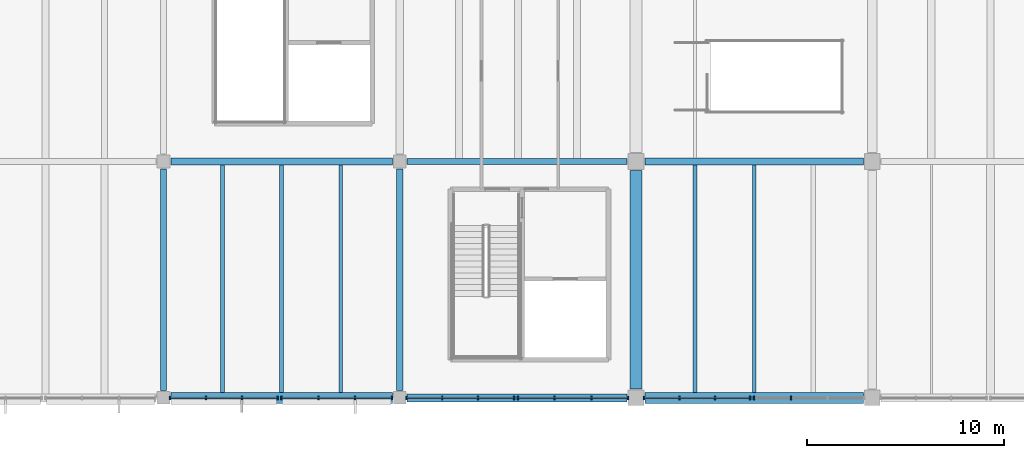
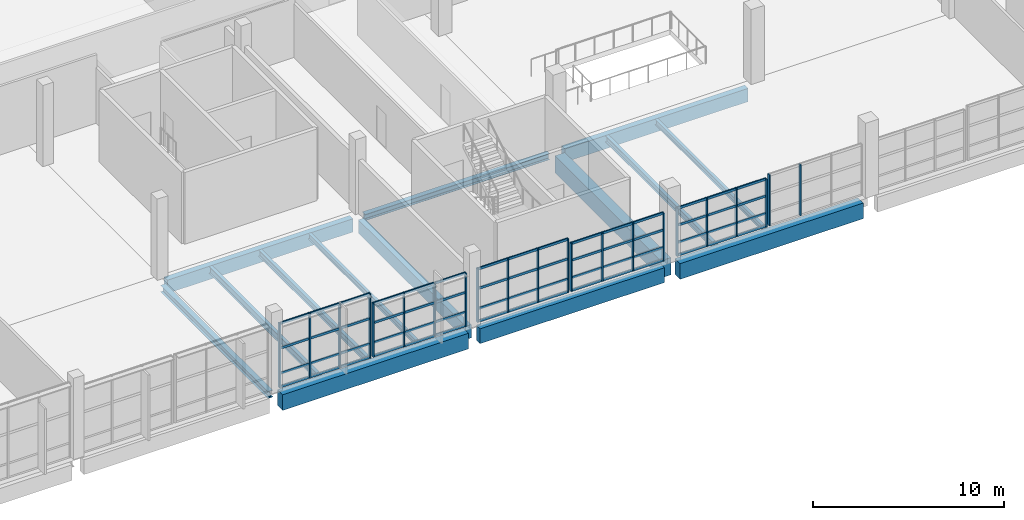
# One storey, part 23 of 112: 42 members, 14 beams, 6 elements without a shape of their own.
"""IFC4 building model written with IfcOpenShell, lengths in metres."""

from ifc_helpers import new_model, si_unit, direction, frame, origin, origin_2d, place, context, subcontext, project, spatial, rectangle, i_section, extrude, material, material_profile, profile_set, type_object, element, aggregate, save


model = new_model("IFC4")

# Units and contexts
model_context = context("Model", 3, precision=1e-05, world=origin(), true_north=direction((0.0, 1.0)))
body_context = subcontext(model_context, "Body", "Model", "MODEL_VIEW")
ifc_project = project(units=[si_unit("LENGTHUNIT", "METRE"), si_unit("AREAUNIT", "SQUARE_METRE"), si_unit("VOLUMEUNIT", "CUBIC_METRE"), si_unit("PLANEANGLEUNIT", "RADIAN"), si_unit("MASSUNIT", "GRAM", prefix="KILO")], contexts=[model_context])

# Site, building, storey
site_placement = place(None, origin())
site = spatial("IfcSite", under=ifc_project, at=site_placement, CompositionType="ELEMENT")
building_placement = place(site_placement, origin())
building = spatial("IfcBuilding", under=site, at=building_placement, Name="Kamomehara Wholesale Market", CompositionType="ELEMENT")
storey_placement = place(building_placement, frame((0.0, 0.0, 6.60009765625)))
storey = spatial("IfcBuildingStorey", under=building, at=storey_placement, Name="L01", CompositionType="ELEMENT", Elevation=6.60009765625)

# Beams
ifc_material_1 = material(Name="Precast concrete Fc45 (C40/50)", Category="concrete")
ifc_material_profile_1 = material_profile(ifc_material_1, rectangle(XDim=0.60009765625, YDim=1.10009765625, at=origin_2d()), Name="PC-GRD-600x1100")
ifc_profile_set_1 = profile_set([ifc_material_profile_1], Name="Precast concrete Fc45 (C40/50)")
beam_type_1 = type_object("IfcBeamType", Name="BM-PG1100", PredefinedType="T_BEAM", material=ifc_profile_set_1)
beam_1_placement = place(storey_placement, frame((120.0, 12.449951171875, -0.902099609375), z_axis=(0.0, 1.0, 0.0), x_axis=(-1.0, 0.0, 0.0)))
element("IfcBeam", 1, at=beam_1_placement, inside=storey, type_object=beam_type_1, Name="Beam PG-07 L01", PredefinedType="T_BEAM", context=body_context, shape_type="SweptSolid", body=[
    extrude(rectangle(XDim=0.60009765625, YDim=1.10009765625, at=origin_2d()), origin(), (0.0, 0.0, 1.0), 11.10009765625),
])
ifc_material_2 = material(Name="Concrete Fc36 (C35/45)", Category="concrete")
ifc_material_profile_2 = material_profile(ifc_material_2, rectangle(XDim=0.550048828125, YDim=1.0, at=origin_2d()), Name="RC-SEB-550x1000")
ifc_profile_set_2 = profile_set([ifc_material_profile_2], Name="Concrete Fc36 (C35/45)")
beam_type_2 = type_object("IfcBeamType", Name="BM-SEB1000-EXT", PredefinedType="SPANDREL", material=ifc_profile_set_2)
beam_2_placement = place(storey_placement, frame((96.375, 12.0, -0.822021484375), z_axis=(1.0, 0.0, 0.0), x_axis=(0.0, 1.0, 0.0)))
element("IfcBeam", 2, at=beam_2_placement, inside=storey, type_object=beam_type_2, Name="Beam SEB-03E L01", PredefinedType="SPANDREL", context=body_context, shape_type="SweptSolid", body=[
    extrude(rectangle(XDim=0.550048828125, YDim=1.0, at=origin_2d()), origin(), (0.0, 0.0, 1.0), 11.25),
])
beam_3_placement = place(storey_placement, frame((120.449951171875, 12.0, -0.85205078125), z_axis=(1.0, 0.0, 0.0), x_axis=(0.0, 1.0, 0.0)))
element("IfcBeam", 3, at=beam_3_placement, inside=storey, type_object=beam_type_2, Name="Beam SEB-03E L01", PredefinedType="SPANDREL", context=body_context, shape_type="SweptSolid", body=[
    extrude(rectangle(XDim=0.550048828125, YDim=1.0, at=origin_2d()), origin(), (0.0, 0.0, 1.0), 11.10009765625),
])
ifc_material_3 = material(Name="Precast concrete Fc45 (C40/50)", Category="concrete")
ifc_material_profile_3 = material_profile(ifc_material_3, rectangle(XDim=0.35009765625, YDim=0.85009765625, at=origin_2d()), Name="PC-SPN-350x850")
ifc_profile_set_3 = profile_set([ifc_material_profile_3], Name="Precast concrete Fc45 (C40/50)")
beam_type_3 = type_object("IfcBeamType", Name="BM-SPN850-EXT", PredefinedType="SPANDREL", material=ifc_profile_set_3)
for number, where, z_axis, x_axis, name in (
    (4, (108.0, 12.375, -0.76708984375), (0.0, 1.0, 0.0), (-1.0, 0.0, 0.0), "Beam SPN-02E L01"),
    (5, (96.375, 24.0, -0.7470703125), (1.0, 0.0, 0.0), (0.0, 1.0, 0.0), "Beam SPN-02E L01"),
):
    element("IfcBeam", number, at=place(storey_placement, frame(where, z_axis=z_axis, x_axis=x_axis)), inside=storey, type_object=beam_type_3, Name=name, PredefinedType="SPANDREL", context=body_context, shape_type="SweptSolid", body=[
        extrude(rectangle(XDim=0.35009765625, YDim=0.85009765625, at=origin_2d()), origin(), (0.0, 0.0, 1.0), 11.25),
    ])
beam_4_placement = place(storey_placement, frame((120.449951171875, 24.0, -0.777099609375), z_axis=(1.0, 0.0, 0.0), x_axis=(0.0, 1.0, 0.0)))
element("IfcBeam", 6, at=beam_4_placement, inside=storey, type_object=beam_type_3, Name="Beam SPN-02E L01", PredefinedType="SPANDREL", context=body_context, shape_type="SweptSolid", body=[
    extrude(rectangle(XDim=0.35009765625, YDim=0.85009765625, at=origin_2d()), origin(), (0.0, 0.0, 1.0), 11.10009765625),
])
ifc_material_4 = material(Name="Precast concrete Fc45 (C40/50)", Category="concrete")
ifc_material_profile_4 = material_profile(ifc_material_4, rectangle(XDim=0.39990234375, YDim=0.949951171875, at=origin_2d()), Name="PC-SPN-400x950")
ifc_profile_set_4 = profile_set([ifc_material_profile_4], Name="Precast concrete Fc45 (C40/50)")
beam_type_4 = type_object("IfcBeamType", Name="BM-SPN950-EXT", PredefinedType="SPANDREL", material=ifc_profile_set_4)
beam_5_placement = place(storey_placement, frame((108.375, 12.0, -0.817138671875), z_axis=(1.0, 0.0, 0.0), x_axis=(0.0, 1.0, 0.0)))
element("IfcBeam", 7, at=beam_5_placement, inside=storey, type_object=beam_type_4, Name="Beam SPN-01E L01", PredefinedType="SPANDREL", context=body_context, shape_type="SweptSolid", body=[
    extrude(rectangle(XDim=0.39990234375, YDim=0.949951171875, at=origin_2d()), origin(), (0.0, 0.0, 1.0), 11.175048828125),
])
ifc_material_5 = material(Name="Steel SN400B", Category="steel")
ifc_material_profile_5 = material_profile(ifc_material_5, i_section(OverallWidth=0.175048828125, OverallDepth=0.35009765625, WebThickness=0.007080078125, FlangeThickness=0.010986328125, FilletRadius=0.012939453125, at=origin_2d()), Name="H-350x175x7x11")
ifc_profile_set_5 = profile_set([ifc_material_profile_5], Name="Steel SN400B")
beam_type_5 = type_object("IfcBeamType", Name="BM-ST-H350", PredefinedType="JOIST", material=ifc_profile_set_5)
for number, where, z_axis, x_axis, name in (
    (8, (105.0, 12.27490234375, -0.4970703125), (0.0, 1.0, 0.0), (-1.0, 0.0, 0.0), "Beam SJ-04 L01"),
    (9, (126.0, 12.27490234375, -0.527099609375), (0.0, 1.0, 0.0), (-1.0, 0.0, 0.0), "Beam SJ-04 L01"),
):
    element("IfcBeam", number, at=place(storey_placement, frame(where, z_axis=z_axis, x_axis=x_axis)), inside=storey, type_object=beam_type_5, Name=name, PredefinedType="JOIST", context=body_context, shape_type="SweptSolid", body=[
        extrude(i_section(OverallWidth=0.175048828125, OverallDepth=0.35009765625, WebThickness=0.007080078125, FlangeThickness=0.010986328125, FilletRadius=0.012939453125, at=origin_2d()), origin(), (0.0, 0.0, 1.0), 11.550048828125),
    ])
ifc_material_6 = material(Name="Steel SN490B", Category="steel")
ifc_material_profile_6 = material_profile(ifc_material_6, i_section(OverallWidth=0.300048828125, OverallDepth=0.389892578125, WebThickness=0.010009765625, FlangeThickness=0.01611328125, FilletRadius=0.01806640625, at=origin_2d()), Name="H-390x300x10x16")
ifc_profile_set_6 = profile_set([ifc_material_profile_6], Name="Steel SN490B")
beam_type_6 = type_object("IfcBeamType", Name="BM-ST-H390-EXT", PredefinedType="SPANDREL", material=ifc_profile_set_6)
beam_6_placement = place(storey_placement, frame((108.375, 24.0, -0.537109375), z_axis=(1.0, 0.0, 0.0), x_axis=(0.0, 1.0, 0.0)))
element("IfcBeam", 10, at=beam_6_placement, inside=storey, type_object=beam_type_6, Name="Beam SJ-03E L01", PredefinedType="SPANDREL", context=body_context, shape_type="SweptSolid", body=[
    extrude(i_section(OverallWidth=0.300048828125, OverallDepth=0.389892578125, WebThickness=0.010009765625, FlangeThickness=0.01611328125, FilletRadius=0.01806640625, at=origin_2d()), origin(), (0.0, 0.0, 1.0), 11.175048828125),
])
ifc_material_7 = material(Name="Steel SN400B", Category="steel")
ifc_material_profile_7 = material_profile(ifc_material_7, i_section(OverallWidth=0.199951171875, OverallDepth=0.39990234375, WebThickness=0.008056640625, FlangeThickness=0.012939453125, FilletRadius=0.012939453125, at=origin_2d()), Name="H-400x200x8x13")
ifc_profile_set_7 = profile_set([ifc_material_profile_7], Name="Steel SN400B")
beam_type_7 = type_object("IfcBeamType", Name="BM-ST-H400", PredefinedType="JOIST", material=ifc_profile_set_7)
for number, where, z_axis, x_axis, name in (
    (11, (102.0, 12.27490234375, -0.522216796875), (0.0, 1.0, 0.0), (-1.0, 0.0, 0.0), "Beam SJ-02 L01"),
    (12, (123.0, 12.27490234375, -0.552001953125), (0.0, 1.0, 0.0), (-1.0, 0.0, 0.0), "Beam SJ-02 L01"),
):
    element("IfcBeam", number, at=place(storey_placement, frame(where, z_axis=z_axis, x_axis=x_axis)), inside=storey, type_object=beam_type_7, Name=name, PredefinedType="JOIST", context=body_context, shape_type="SweptSolid", body=[
        extrude(i_section(OverallWidth=0.199951171875, OverallDepth=0.39990234375, WebThickness=0.008056640625, FlangeThickness=0.012939453125, FilletRadius=0.012939453125, at=origin_2d()), origin(), (0.0, 0.0, 1.0), 11.550048828125),
    ])
ifc_material_8 = material(Name="Steel SN490B", Category="steel")
ifc_material_profile_8 = material_profile(ifc_material_8, i_section(OverallWidth=0.300048828125, OverallDepth=0.43994140625, WebThickness=0.010986328125, FlangeThickness=0.01806640625, FilletRadius=0.01806640625, at=origin_2d()), Name="H-440x300x11x18")
ifc_profile_set_8 = profile_set([ifc_material_profile_8], Name="Steel SN490B")
beam_type_8 = type_object("IfcBeamType", Name="BM-ST-H440", PredefinedType="BEAM", material=ifc_profile_set_8)
beam_7_placement = place(storey_placement, frame((96.0, 12.375, -0.552001953125), z_axis=(0.0, 1.0, 0.0), x_axis=(-1.0, 0.0, 0.0)))
element("IfcBeam", 13, at=beam_7_placement, inside=storey, type_object=beam_type_8, Name="Beam SG-11 L01", PredefinedType="BEAM", context=body_context, shape_type="SweptSolid", body=[
    extrude(i_section(OverallWidth=0.300048828125, OverallDepth=0.43994140625, WebThickness=0.010986328125, FlangeThickness=0.01806640625, FilletRadius=0.01806640625, at=origin_2d()), origin(), (0.0, 0.0, 1.0), 11.25),
])
ifc_material_9 = material(Name="Steel SN400B", Category="steel")
ifc_material_profile_9 = material_profile(ifc_material_9, i_section(OverallWidth=0.199951171875, OverallDepth=0.449951171875, WebThickness=0.009033203125, FlangeThickness=0.013916015625, FilletRadius=0.012939453125, at=origin_2d()), Name="H-450x200x9x14")
ifc_profile_set_9 = profile_set([ifc_material_profile_9], Name="Steel SN400B")
beam_type_9 = type_object("IfcBeamType", Name="BM-ST-H450", PredefinedType="JOIST", material=ifc_profile_set_9)
beam_8_placement = place(storey_placement, frame((99.0, 12.27490234375, -0.547119140625), z_axis=(0.0, 1.0, 0.0), x_axis=(-1.0, 0.0, 0.0)))
element("IfcBeam", 14, at=beam_8_placement, inside=storey, type_object=beam_type_9, Name="Beam SJ-01 L01", PredefinedType="JOIST", context=body_context, shape_type="SweptSolid", body=[
    extrude(i_section(OverallWidth=0.199951171875, OverallDepth=0.449951171875, WebThickness=0.009033203125, FlangeThickness=0.013916015625, FilletRadius=0.012939453125, at=origin_2d()), origin(), (0.0, 0.0, 1.0), 11.550048828125),
])

# Curtain wall, members
ifc_material_10 = material(Name="Anodised aluminium 6063-T5", Category="aluminium")
curtain_wall_type = type_object("IfcCurtainWallType", Name="CW-UN-01", PredefinedType="NOTDEFINED", material=ifc_material_10)
curtain_wall_1_placement = place(storey_placement, origin())
curtain_wall_1 = element("IfcCurtainWall", 15, at=curtain_wall_1_placement, inside=storey, type_object=curtain_wall_type, Name="Unitised curtain wall CW-127", PredefinedType="NOTDEFINED")
ifc_material_11 = material(Name="Anodised aluminium 6063-T5", Category="aluminium")
ifc_material_profile_10 = material_profile(ifc_material_11, rectangle(XDim=0.074951171875, YDim=0.179931640625, at=origin_2d()), Name="ALU-MUL-75x180")
ifc_profile_set_10 = profile_set([ifc_material_profile_10], Name="Anodised aluminium 6063-T5")
member_type_1 = type_object("IfcMemberType", Name="CW-MUL-180", PredefinedType="MULLION", material=ifc_profile_set_10)
member_1_placement = place(storey_placement, frame((107.60009765625, 12.0, 0.0), z_axis=(0.0, 0.0, 1.0), x_axis=(-1.0, 0.0, 0.0)))
member_1 = element("IfcMember", 16, at=member_1_placement, type_object=member_type_1, Name="Mullion CW-127.0", PredefinedType="MULLION", context=body_context, shape_type="SweptSolid", body=[
    extrude(rectangle(XDim=0.074951171875, YDim=0.179931640625, at=origin_2d()), origin(), (0.0, 0.0, 1.0), 3.427978515625),
])
member_2_placement = place(storey_placement, frame((105.73291015625, 12.0, 0.0), z_axis=(0.0, 0.0, 1.0), x_axis=(-1.0, 0.0, 0.0)))
member_2 = element("IfcMember", 17, at=member_2_placement, type_object=member_type_1, Name="Mullion CW-127.1", PredefinedType="MULLION", context=body_context, shape_type="SweptSolid", body=[
    extrude(rectangle(XDim=0.074951171875, YDim=0.179931640625, at=origin_2d()), origin(), (0.0, 0.0, 1.0), 3.427978515625),
])
member_3_placement = place(storey_placement, frame((103.866943359375, 12.0, 0.0), z_axis=(0.0, 0.0, 1.0), x_axis=(-1.0, 0.0, 0.0)))
member_3 = element("IfcMember", 18, at=member_3_placement, type_object=member_type_1, Name="Mullion CW-127.2", PredefinedType="MULLION", context=body_context, shape_type="SweptSolid", body=[
    extrude(rectangle(XDim=0.074951171875, YDim=0.179931640625, at=origin_2d()), origin(), (0.0, 0.0, 1.0), 3.427978515625),
])
member_4_placement = place(storey_placement, frame((102.0, 12.0, 0.0), z_axis=(0.0, 0.0, 1.0), x_axis=(-1.0, 0.0, 0.0)))
member_4 = element("IfcMember", 19, at=member_4_placement, type_object=member_type_1, Name="Mullion CW-127.3", PredefinedType="MULLION", context=body_context, shape_type="SweptSolid", body=[
    extrude(rectangle(XDim=0.074951171875, YDim=0.179931640625, at=origin_2d()), origin(), (0.0, 0.0, 1.0), 3.427978515625),
])

curtain_wall_2_placement = place(storey_placement, origin())
curtain_wall_2 = element("IfcCurtainWall", 20, at=curtain_wall_2_placement, inside=storey, type_object=curtain_wall_type, Name="Unitised curtain wall CW-128", PredefinedType="NOTDEFINED")
member_5_placement = place(storey_placement, frame((101.800048828125, 12.0, 0.0), z_axis=(0.0, 0.0, 1.0), x_axis=(-1.0, 0.0, 0.0)))
member_5 = element("IfcMember", 21, at=member_5_placement, type_object=member_type_1, Name="Mullion CW-128.0", PredefinedType="MULLION", context=body_context, shape_type="SweptSolid", body=[
    extrude(rectangle(XDim=0.074951171875, YDim=0.179931640625, at=origin_2d()), origin(), (0.0, 0.0, 1.0), 4.1298828125),
])
member_6_placement = place(storey_placement, frame((99.97802734375, 12.0, 0.0), z_axis=(0.0, 0.0, 1.0), x_axis=(-1.0, 0.0, 0.0)))
member_6 = element("IfcMember", 22, at=member_6_placement, type_object=member_type_1, Name="Mullion CW-128.1", PredefinedType="MULLION", context=body_context, shape_type="SweptSolid", body=[
    extrude(rectangle(XDim=0.074951171875, YDim=0.179931640625, at=origin_2d()), origin(), (0.0, 0.0, 1.0), 4.1298828125),
])
member_7_placement = place(storey_placement, frame((98.156982421875, 12.0, 0.0), z_axis=(0.0, 0.0, 1.0), x_axis=(-1.0, 0.0, 0.0)))
member_7 = element("IfcMember", 23, at=member_7_placement, type_object=member_type_1, Name="Mullion CW-128.2", PredefinedType="MULLION", context=body_context, shape_type="SweptSolid", body=[
    extrude(rectangle(XDim=0.074951171875, YDim=0.179931640625, at=origin_2d()), origin(), (0.0, 0.0, 1.0), 4.1298828125),
])
member_8_placement = place(storey_placement, frame((96.3349609375, 12.0, 0.0), z_axis=(0.0, 0.0, 1.0), x_axis=(-1.0, 0.0, 0.0)))
member_8 = element("IfcMember", 24, at=member_8_placement, type_object=member_type_1, Name="Mullion CW-128.3", PredefinedType="MULLION", context=body_context, shape_type="SweptSolid", body=[
    extrude(rectangle(XDim=0.074951171875, YDim=0.179931640625, at=origin_2d()), origin(), (0.0, 0.0, 1.0), 4.1298828125),
])

curtain_wall_3_placement = place(storey_placement, origin())
curtain_wall_3 = element("IfcCurtainWall", 25, at=curtain_wall_3_placement, inside=storey, type_object=curtain_wall_type, Name="Unitised curtain wall CW-133", PredefinedType="NOTDEFINED")
member_9_placement = place(storey_placement, frame((119.590087890625, 12.0, 0.0), z_axis=(0.0, 0.0, 1.0), x_axis=(-1.0, 0.0, 0.0)))
member_9 = element("IfcMember", 26, at=member_9_placement, type_object=member_type_1, Name="Mullion CW-133.0", PredefinedType="MULLION", context=body_context, shape_type="SweptSolid", body=[
    extrude(rectangle(XDim=0.074951171875, YDim=0.179931640625, at=origin_2d()), origin(), (0.0, 0.0, 1.0), 3.077880859375),
])
member_10_placement = place(storey_placement, frame((117.72705078125, 12.0, 0.0), z_axis=(0.0, 0.0, 1.0), x_axis=(-1.0, 0.0, 0.0)))
member_10 = element("IfcMember", 27, at=member_10_placement, type_object=member_type_1, Name="Mullion CW-133.1", PredefinedType="MULLION", context=body_context, shape_type="SweptSolid", body=[
    extrude(rectangle(XDim=0.074951171875, YDim=0.179931640625, at=origin_2d()), origin(), (0.0, 0.0, 1.0), 3.077880859375),
])
member_11_placement = place(storey_placement, frame((115.863037109375, 12.0, 0.0), z_axis=(0.0, 0.0, 1.0), x_axis=(-1.0, 0.0, 0.0)))
member_11 = element("IfcMember", 28, at=member_11_placement, type_object=member_type_1, Name="Mullion CW-133.2", PredefinedType="MULLION", context=body_context, shape_type="SweptSolid", body=[
    extrude(rectangle(XDim=0.074951171875, YDim=0.179931640625, at=origin_2d()), origin(), (0.0, 0.0, 1.0), 3.077880859375),
])
member_12_placement = place(storey_placement, frame((114.0, 12.0, 0.0), z_axis=(0.0, 0.0, 1.0), x_axis=(-1.0, 0.0, 0.0)))
member_12 = element("IfcMember", 29, at=member_12_placement, type_object=member_type_1, Name="Mullion CW-133.3", PredefinedType="MULLION", context=body_context, shape_type="SweptSolid", body=[
    extrude(rectangle(XDim=0.074951171875, YDim=0.179931640625, at=origin_2d()), origin(), (0.0, 0.0, 1.0), 3.077880859375),
])

curtain_wall_4_placement = place(storey_placement, origin())
curtain_wall_4 = element("IfcCurtainWall", 30, at=curtain_wall_4_placement, inside=storey, type_object=curtain_wall_type, Name="Unitised curtain wall CW-134", PredefinedType="NOTDEFINED")
member_13_placement = place(storey_placement, frame((113.800048828125, 12.0, 0.0), z_axis=(0.0, 0.0, 1.0), x_axis=(-1.0, 0.0, 0.0)))
member_13 = element("IfcMember", 31, at=member_13_placement, type_object=member_type_1, Name="Mullion CW-134.0", PredefinedType="MULLION", context=body_context, shape_type="SweptSolid", body=[
    extrude(rectangle(XDim=0.074951171875, YDim=0.179931640625, at=origin_2d()), origin(), (0.0, 0.0, 1.0), 3.427978515625),
])
member_14_placement = place(storey_placement, frame((111.97802734375, 12.0, 0.0), z_axis=(0.0, 0.0, 1.0), x_axis=(-1.0, 0.0, 0.0)))
member_14 = element("IfcMember", 32, at=member_14_placement, type_object=member_type_1, Name="Mullion CW-134.1", PredefinedType="MULLION", context=body_context, shape_type="SweptSolid", body=[
    extrude(rectangle(XDim=0.074951171875, YDim=0.179931640625, at=origin_2d()), origin(), (0.0, 0.0, 1.0), 3.427978515625),
])
member_15_placement = place(storey_placement, frame((110.156982421875, 12.0, 0.0), z_axis=(0.0, 0.0, 1.0), x_axis=(-1.0, 0.0, 0.0)))
member_15 = element("IfcMember", 33, at=member_15_placement, type_object=member_type_1, Name="Mullion CW-134.2", PredefinedType="MULLION", context=body_context, shape_type="SweptSolid", body=[
    extrude(rectangle(XDim=0.074951171875, YDim=0.179931640625, at=origin_2d()), origin(), (0.0, 0.0, 1.0), 3.427978515625),
])
member_16_placement = place(storey_placement, frame((108.3349609375, 12.0, 0.0), z_axis=(0.0, 0.0, 1.0), x_axis=(-1.0, 0.0, 0.0)))
member_16 = element("IfcMember", 34, at=member_16_placement, type_object=member_type_1, Name="Mullion CW-134.3", PredefinedType="MULLION", context=body_context, shape_type="SweptSolid", body=[
    extrude(rectangle(XDim=0.074951171875, YDim=0.179931640625, at=origin_2d()), origin(), (0.0, 0.0, 1.0), 3.427978515625),
])

curtain_wall_5_placement = place(storey_placement, origin())
curtain_wall_5 = element("IfcCurtainWall", 35, at=curtain_wall_5_placement, inside=storey, type_object=curtain_wall_type, Name="Unitised curtain wall CW-135", PredefinedType="NOTDEFINED")
member_17_placement = place(storey_placement, frame((127.863037109375, 12.0, 0.0), z_axis=(0.0, 0.0, 1.0), x_axis=(-1.0, 0.0, 0.0)))
member_17 = element("IfcMember", 36, at=member_17_placement, type_object=member_type_1, Name="Mullion CW-135.2", PredefinedType="MULLION", context=body_context, shape_type="SweptSolid", body=[
    extrude(rectangle(XDim=0.074951171875, YDim=0.179931640625, at=origin_2d()), origin(), (0.0, 0.0, 1.0), 3.267822265625),
])
member_18_placement = place(storey_placement, frame((126.0, 12.0, 0.0), z_axis=(0.0, 0.0, 1.0), x_axis=(-1.0, 0.0, 0.0)))
member_18 = element("IfcMember", 37, at=member_18_placement, type_object=member_type_1, Name="Mullion CW-135.3", PredefinedType="MULLION", context=body_context, shape_type="SweptSolid", body=[
    extrude(rectangle(XDim=0.074951171875, YDim=0.179931640625, at=origin_2d()), origin(), (0.0, 0.0, 1.0), 3.267822265625),
])
aggregate(curtain_wall_5, [member_17, member_18])

curtain_wall_6_placement = place(storey_placement, origin())
curtain_wall_6 = element("IfcCurtainWall", 38, at=curtain_wall_6_placement, inside=storey, type_object=curtain_wall_type, Name="Unitised curtain wall CW-136", PredefinedType="NOTDEFINED")
member_19_placement = place(storey_placement, frame((125.800048828125, 12.0, 0.0), z_axis=(0.0, 0.0, 1.0), x_axis=(-1.0, 0.0, 0.0)))
member_19 = element("IfcMember", 39, at=member_19_placement, type_object=member_type_1, Name="Mullion CW-136.0", PredefinedType="MULLION", context=body_context, shape_type="SweptSolid", body=[
    extrude(rectangle(XDim=0.074951171875, YDim=0.179931640625, at=origin_2d()), origin(), (0.0, 0.0, 1.0), 3.077880859375),
])
member_20_placement = place(storey_placement, frame((124.0029296875, 12.0, 0.0), z_axis=(0.0, 0.0, 1.0), x_axis=(-1.0, 0.0, 0.0)))
member_20 = element("IfcMember", 40, at=member_20_placement, type_object=member_type_1, Name="Mullion CW-136.1", PredefinedType="MULLION", context=body_context, shape_type="SweptSolid", body=[
    extrude(rectangle(XDim=0.074951171875, YDim=0.179931640625, at=origin_2d()), origin(), (0.0, 0.0, 1.0), 3.077880859375),
])
member_21_placement = place(storey_placement, frame((122.20703125, 12.0, 0.0), z_axis=(0.0, 0.0, 1.0), x_axis=(-1.0, 0.0, 0.0)))
member_21 = element("IfcMember", 41, at=member_21_placement, type_object=member_type_1, Name="Mullion CW-136.2", PredefinedType="MULLION", context=body_context, shape_type="SweptSolid", body=[
    extrude(rectangle(XDim=0.074951171875, YDim=0.179931640625, at=origin_2d()), origin(), (0.0, 0.0, 1.0), 3.077880859375),
])
member_22_placement = place(storey_placement, frame((120.409912109375, 12.0, 0.0), z_axis=(0.0, 0.0, 1.0), x_axis=(-1.0, 0.0, 0.0)))
member_22 = element("IfcMember", 42, at=member_22_placement, type_object=member_type_1, Name="Mullion CW-136.3", PredefinedType="MULLION", context=body_context, shape_type="SweptSolid", body=[
    extrude(rectangle(XDim=0.074951171875, YDim=0.179931640625, at=origin_2d()), origin(), (0.0, 0.0, 1.0), 3.077880859375),
])

# Member
ifc_material_12 = material(Name="Anodised aluminium 6063-T5", Category="aluminium")
ifc_material_profile_11 = material_profile(ifc_material_12, rectangle(XDim=0.074951171875, YDim=0.14990234375, at=origin_2d()), Name="ALU-TRN-75x150")
ifc_profile_set_11 = profile_set([ifc_material_profile_11], Name="Anodised aluminium 6063-T5")
member_type_2 = type_object("IfcMemberType", Name="CW-TRN-150", PredefinedType="USERDEFINED", material=ifc_profile_set_11)
member_23_placement = place(storey_placement, frame((107.60009765625, 12.0, 0.039794921875), z_axis=(-1.0, 0.0, 0.0), x_axis=(0.0, -1.0, 0.0)))
member_23 = element("IfcMember", 43, at=member_23_placement, type_object=member_type_2, Name="Transom CW-127.0", ObjectType="TRANSOM", PredefinedType="USERDEFINED", context=body_context, shape_type="SweptSolid", body=[
    extrude(rectangle(XDim=0.074951171875, YDim=0.14990234375, at=origin_2d()), origin(), (0.0, 0.0, 1.0), 5.60009765625),
])

member_24_placement = place(storey_placement, frame((107.60009765625, 12.0, 0.89990234375), z_axis=(-1.0, 0.0, 0.0), x_axis=(0.0, -1.0, 0.0)))
member_24 = element("IfcMember", 44, at=member_24_placement, type_object=member_type_2, Name="Transom CW-127.1", ObjectType="TRANSOM", PredefinedType="USERDEFINED", context=body_context, shape_type="SweptSolid", body=[
    extrude(rectangle(XDim=0.074951171875, YDim=0.14990234375, at=origin_2d()), origin(), (0.0, 0.0, 1.0), 5.60009765625),
])

member_25_placement = place(storey_placement, frame((107.60009765625, 12.0, 2.163818359375), z_axis=(-1.0, 0.0, 0.0), x_axis=(0.0, -1.0, 0.0)))
member_25 = element("IfcMember", 45, at=member_25_placement, type_object=member_type_2, Name="Transom CW-127.2", ObjectType="TRANSOM", PredefinedType="USERDEFINED", context=body_context, shape_type="SweptSolid", body=[
    extrude(rectangle(XDim=0.074951171875, YDim=0.14990234375, at=origin_2d()), origin(), (0.0, 0.0, 1.0), 5.60009765625),
])

member_26_placement = place(storey_placement, frame((107.60009765625, 12.0, 3.387939453125), z_axis=(-1.0, 0.0, 0.0), x_axis=(0.0, -1.0, 0.0)))
member_26 = element("IfcMember", 46, at=member_26_placement, type_object=member_type_2, Name="Transom CW-127.3", ObjectType="TRANSOM", PredefinedType="USERDEFINED", context=body_context, shape_type="SweptSolid", body=[
    extrude(rectangle(XDim=0.074951171875, YDim=0.14990234375, at=origin_2d()), origin(), (0.0, 0.0, 1.0), 5.60009765625),
])

aggregate(curtain_wall_1, [member_1, member_2, member_3, member_4, member_23, member_24, member_25, member_26])

member_27_placement = place(storey_placement, frame((101.800048828125, 12.0, 0.039794921875), z_axis=(-1.0, 0.0, 0.0), x_axis=(0.0, -1.0, 0.0)))
member_27 = element("IfcMember", 47, at=member_27_placement, type_object=member_type_2, Name="Transom CW-128.0", ObjectType="TRANSOM", PredefinedType="USERDEFINED", context=body_context, shape_type="SweptSolid", body=[
    extrude(rectangle(XDim=0.074951171875, YDim=0.14990234375, at=origin_2d()), origin(), (0.0, 0.0, 1.0), 5.465087890625),
])

member_28_placement = place(storey_placement, frame((101.800048828125, 12.0, 0.89990234375), z_axis=(-1.0, 0.0, 0.0), x_axis=(0.0, -1.0, 0.0)))
member_28 = element("IfcMember", 48, at=member_28_placement, type_object=member_type_2, Name="Transom CW-128.1", ObjectType="TRANSOM", PredefinedType="USERDEFINED", context=body_context, shape_type="SweptSolid", body=[
    extrude(rectangle(XDim=0.074951171875, YDim=0.14990234375, at=origin_2d()), origin(), (0.0, 0.0, 1.0), 5.465087890625),
])

member_29_placement = place(storey_placement, frame((101.800048828125, 12.0, 2.514892578125), z_axis=(-1.0, 0.0, 0.0), x_axis=(0.0, -1.0, 0.0)))
member_29 = element("IfcMember", 49, at=member_29_placement, type_object=member_type_2, Name="Transom CW-128.2", ObjectType="TRANSOM", PredefinedType="USERDEFINED", context=body_context, shape_type="SweptSolid", body=[
    extrude(rectangle(XDim=0.074951171875, YDim=0.14990234375, at=origin_2d()), origin(), (0.0, 0.0, 1.0), 5.465087890625),
])

member_30_placement = place(storey_placement, frame((101.800048828125, 12.0, 4.08984375), z_axis=(-1.0, 0.0, 0.0), x_axis=(0.0, -1.0, 0.0)))
member_30 = element("IfcMember", 50, at=member_30_placement, type_object=member_type_2, Name="Transom CW-128.3", ObjectType="TRANSOM", PredefinedType="USERDEFINED", context=body_context, shape_type="SweptSolid", body=[
    extrude(rectangle(XDim=0.074951171875, YDim=0.14990234375, at=origin_2d()), origin(), (0.0, 0.0, 1.0), 5.465087890625),
])

aggregate(curtain_wall_2, [member_5, member_6, member_7, member_8, member_27, member_28, member_29, member_30])

member_31_placement = place(storey_placement, frame((119.590087890625, 12.0, 0.039794921875), z_axis=(-1.0, 0.0, 0.0), x_axis=(0.0, -1.0, 0.0)))
member_31 = element("IfcMember", 51, at=member_31_placement, type_object=member_type_2, Name="Transom CW-133.0", ObjectType="TRANSOM", PredefinedType="USERDEFINED", context=body_context, shape_type="SweptSolid", body=[
    extrude(rectangle(XDim=0.074951171875, YDim=0.14990234375, at=origin_2d()), origin(), (0.0, 0.0, 1.0), 5.590087890625),
])

member_32_placement = place(storey_placement, frame((119.590087890625, 12.0, 0.849853515625), z_axis=(-1.0, 0.0, 0.0), x_axis=(0.0, -1.0, 0.0)))
member_32 = element("IfcMember", 52, at=member_32_placement, type_object=member_type_2, Name="Transom CW-133.1", ObjectType="TRANSOM", PredefinedType="USERDEFINED", context=body_context, shape_type="SweptSolid", body=[
    extrude(rectangle(XDim=0.074951171875, YDim=0.14990234375, at=origin_2d()), origin(), (0.0, 0.0, 1.0), 5.590087890625),
])

member_33_placement = place(storey_placement, frame((119.590087890625, 12.0, 1.9638671875), z_axis=(-1.0, 0.0, 0.0), x_axis=(0.0, -1.0, 0.0)))
member_33 = element("IfcMember", 53, at=member_33_placement, type_object=member_type_2, Name="Transom CW-133.2", ObjectType="TRANSOM", PredefinedType="USERDEFINED", context=body_context, shape_type="SweptSolid", body=[
    extrude(rectangle(XDim=0.074951171875, YDim=0.14990234375, at=origin_2d()), origin(), (0.0, 0.0, 1.0), 5.590087890625),
])

member_34_placement = place(storey_placement, frame((119.590087890625, 12.0, 3.037841796875), z_axis=(-1.0, 0.0, 0.0), x_axis=(0.0, -1.0, 0.0)))
member_34 = element("IfcMember", 54, at=member_34_placement, type_object=member_type_2, Name="Transom CW-133.3", ObjectType="TRANSOM", PredefinedType="USERDEFINED", context=body_context, shape_type="SweptSolid", body=[
    extrude(rectangle(XDim=0.074951171875, YDim=0.14990234375, at=origin_2d()), origin(), (0.0, 0.0, 1.0), 5.590087890625),
])

aggregate(curtain_wall_3, [member_9, member_10, member_11, member_12, member_31, member_32, member_33, member_34])

member_35_placement = place(storey_placement, frame((113.800048828125, 12.0, 0.039794921875), z_axis=(-1.0, 0.0, 0.0), x_axis=(0.0, -1.0, 0.0)))
member_35 = element("IfcMember", 55, at=member_35_placement, type_object=member_type_2, Name="Transom CW-134.0", ObjectType="TRANSOM", PredefinedType="USERDEFINED", context=body_context, shape_type="SweptSolid", body=[
    extrude(rectangle(XDim=0.074951171875, YDim=0.14990234375, at=origin_2d()), origin(), (0.0, 0.0, 1.0), 5.465087890625),
])

member_36_placement = place(storey_placement, frame((113.800048828125, 12.0, 0.849853515625), z_axis=(-1.0, 0.0, 0.0), x_axis=(0.0, -1.0, 0.0)))
member_36 = element("IfcMember", 56, at=member_36_placement, type_object=member_type_2, Name="Transom CW-134.1", ObjectType="TRANSOM", PredefinedType="USERDEFINED", context=body_context, shape_type="SweptSolid", body=[
    extrude(rectangle(XDim=0.074951171875, YDim=0.14990234375, at=origin_2d()), origin(), (0.0, 0.0, 1.0), 5.465087890625),
])

member_37_placement = place(storey_placement, frame((113.800048828125, 12.0, 2.138916015625), z_axis=(-1.0, 0.0, 0.0), x_axis=(0.0, -1.0, 0.0)))
member_37 = element("IfcMember", 57, at=member_37_placement, type_object=member_type_2, Name="Transom CW-134.2", ObjectType="TRANSOM", PredefinedType="USERDEFINED", context=body_context, shape_type="SweptSolid", body=[
    extrude(rectangle(XDim=0.074951171875, YDim=0.14990234375, at=origin_2d()), origin(), (0.0, 0.0, 1.0), 5.465087890625),
])

member_38_placement = place(storey_placement, frame((113.800048828125, 12.0, 3.387939453125), z_axis=(-1.0, 0.0, 0.0), x_axis=(0.0, -1.0, 0.0)))
member_38 = element("IfcMember", 58, at=member_38_placement, type_object=member_type_2, Name="Transom CW-134.3", ObjectType="TRANSOM", PredefinedType="USERDEFINED", context=body_context, shape_type="SweptSolid", body=[
    extrude(rectangle(XDim=0.074951171875, YDim=0.14990234375, at=origin_2d()), origin(), (0.0, 0.0, 1.0), 5.465087890625),
])

aggregate(curtain_wall_4, [member_13, member_14, member_15, member_16, member_35, member_36, member_37, member_38])

member_39_placement = place(storey_placement, frame((125.800048828125, 12.0, 0.039794921875), z_axis=(-1.0, 0.0, 0.0), x_axis=(0.0, -1.0, 0.0)))
member_39 = element("IfcMember", 59, at=member_39_placement, type_object=member_type_2, Name="Transom CW-136.0", ObjectType="TRANSOM", PredefinedType="USERDEFINED", context=body_context, shape_type="SweptSolid", body=[
    extrude(rectangle(XDim=0.074951171875, YDim=0.14990234375, at=origin_2d()), origin(), (0.0, 0.0, 1.0), 5.39013671875),
])

member_40_placement = place(storey_placement, frame((125.800048828125, 12.0, 0.849853515625), z_axis=(-1.0, 0.0, 0.0), x_axis=(0.0, -1.0, 0.0)))
member_40 = element("IfcMember", 60, at=member_40_placement, type_object=member_type_2, Name="Transom CW-136.1", ObjectType="TRANSOM", PredefinedType="USERDEFINED", context=body_context, shape_type="SweptSolid", body=[
    extrude(rectangle(XDim=0.074951171875, YDim=0.14990234375, at=origin_2d()), origin(), (0.0, 0.0, 1.0), 5.39013671875),
])

member_41_placement = place(storey_placement, frame((125.800048828125, 12.0, 1.9638671875), z_axis=(-1.0, 0.0, 0.0), x_axis=(0.0, -1.0, 0.0)))
member_41 = element("IfcMember", 61, at=member_41_placement, type_object=member_type_2, Name="Transom CW-136.2", ObjectType="TRANSOM", PredefinedType="USERDEFINED", context=body_context, shape_type="SweptSolid", body=[
    extrude(rectangle(XDim=0.074951171875, YDim=0.14990234375, at=origin_2d()), origin(), (0.0, 0.0, 1.0), 5.39013671875),
])

member_42_placement = place(storey_placement, frame((125.800048828125, 12.0, 3.037841796875), z_axis=(-1.0, 0.0, 0.0), x_axis=(0.0, -1.0, 0.0)))
member_42 = element("IfcMember", 62, at=member_42_placement, type_object=member_type_2, Name="Transom CW-136.3", ObjectType="TRANSOM", PredefinedType="USERDEFINED", context=body_context, shape_type="SweptSolid", body=[
    extrude(rectangle(XDim=0.074951171875, YDim=0.14990234375, at=origin_2d()), origin(), (0.0, 0.0, 1.0), 5.39013671875),
])

aggregate(curtain_wall_6, [member_19, member_20, member_21, member_22, member_39, member_40, member_41, member_42])

save(model, "model.ifc")
